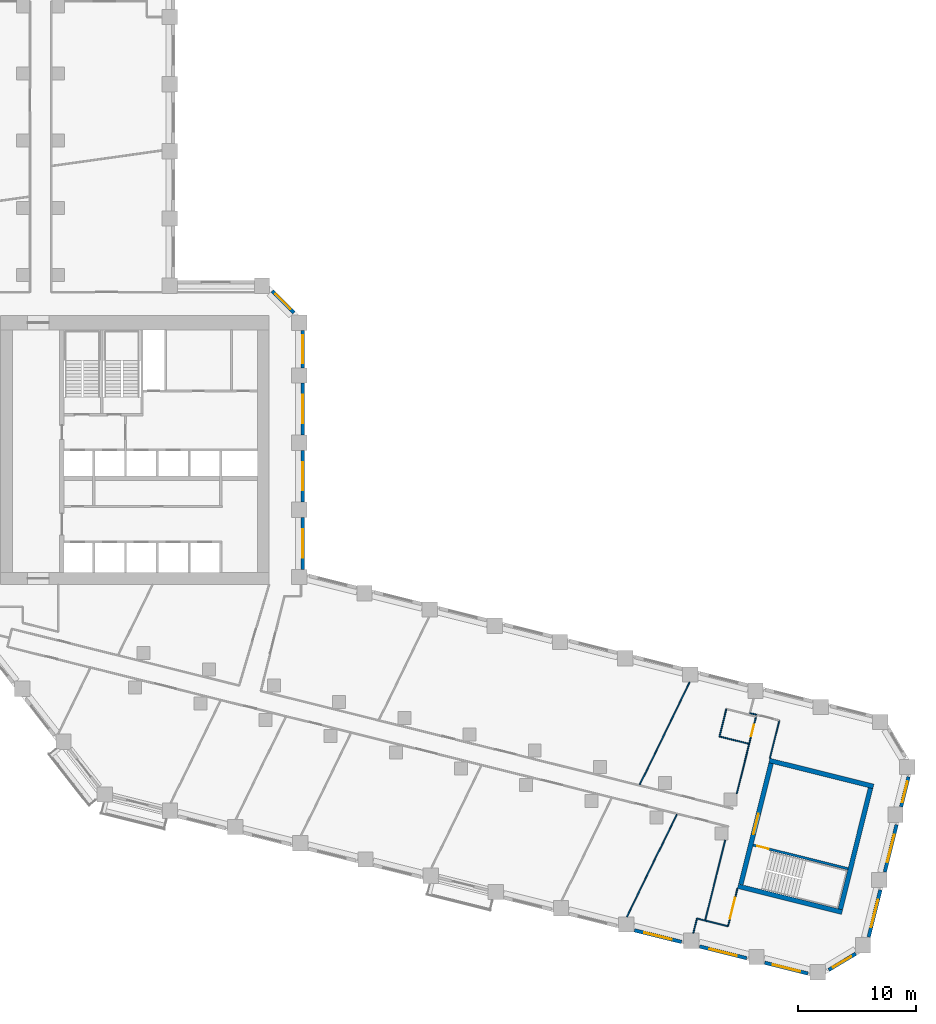
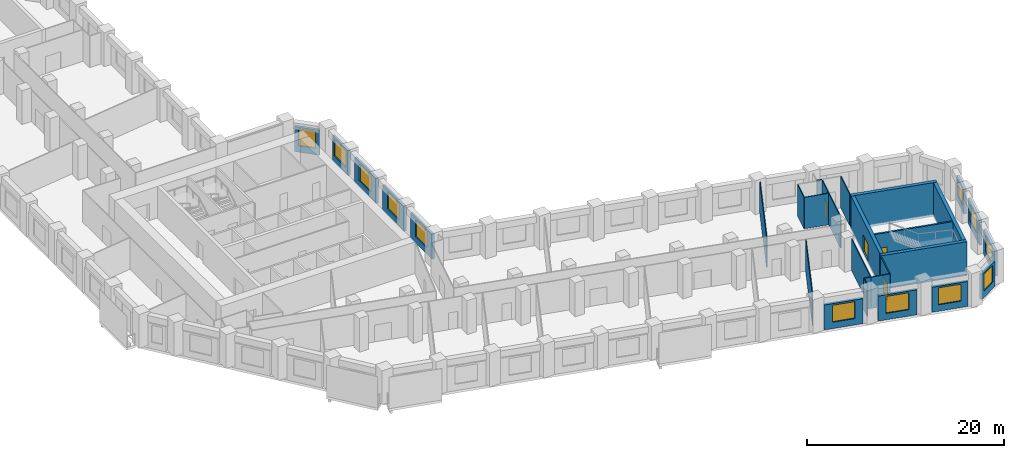
# One storey, part 6 of 11: 29 walls, 12 windows, 4 doors, 16 openings.
"""IFC4 building model written with IfcOpenShell, lengths in metres."""

from ifc_helpers import new_model, si_unit, direction, frame, frame_2d, origin, place, context, subcontext, project, spatial, rectangle, extrude, material, layer, layer_set, type_object, element, fill, save


model = new_model("IFC4")

# Units and contexts
model_context = context("Model", 3, precision=1e-05, world=origin(), true_north=direction((0.0, 1.0)))
body_context = subcontext(model_context, "Body", "Model", "MODEL_VIEW")
ifc_project = project(units=[si_unit("LENGTHUNIT", "METRE"), si_unit("AREAUNIT", "SQUARE_METRE"), si_unit("VOLUMEUNIT", "CUBIC_METRE"), si_unit("PLANEANGLEUNIT", "RADIAN"), si_unit("MASSUNIT", "GRAM", prefix="KILO")], contexts=[model_context])

# Site, building, storey
site_placement = place(None, origin())
site = spatial("IfcSite", under=ifc_project, at=site_placement, CompositionType="ELEMENT")
building_placement = place(site_placement, origin())
building = spatial("IfcBuilding", under=site, at=building_placement, Name="Meshkara Civic Tower", CompositionType="ELEMENT")
storey_placement = place(building_placement, frame((0.0, 0.0, 101.39990234375)))
storey = spatial("IfcBuildingStorey", under=building, at=storey_placement, Name="L22", CompositionType="ELEMENT", Elevation=101.39990234375)

# Walls
ifc_material_1 = material(Name="Corridor wall 100")
ifc_layer_1 = layer(ifc_material_1, 0.10009765625)
ifc_layer_set_1 = layer_set([ifc_layer_1], Name="Corridor wall 100")
wall_type_1 = type_object("IfcWallType", Name="Corridor wall 100", PredefinedType="PARTITIONING", material=ifc_layer_set_1)
wall_1_placement = place(storey_placement, frame((67.79296875, -14.428955078125, 0.0), z_axis=(0.0, 0.0, 1.0), x_axis=(0.9702715884, -0.242018686767, 0.0)))
element("IfcWall", 1, at=wall_1_placement, inside=storey, type_object=wall_type_1, Name="L22-W025", PredefinedType="PARTITIONING", context=body_context, shape_type="SweptSolid", body=[
    extrude(rectangle(XDim=2.00048828125, YDim=0.10009765625, at=frame_2d((1.000244140625, 0.0))), origin(), (0.0, 0.0, 1.0), 3.900146484375),
])
wall_2_placement = place(storey_placement, frame((69.49609375, -7.60009765625, 0.0), z_axis=(0.0, 0.0, 1.0), x_axis=(-0.241988728544, -0.970279060507, 0.0)))
element("IfcWall", 2, at=wall_2_placement, inside=storey, type_object=wall_type_1, Name="L22-W026", PredefinedType="PARTITIONING", context=body_context, shape_type="SweptSolid", body=[
    extrude(rectangle(XDim=7.0380859375, YDim=0.10009765625, at=frame_2d((3.51904296875, 0.0))), origin(), (0.0, 0.0, 1.0), 3.900146484375),
])

# Wall, opening, door
wall_3_placement = place(storey_placement, frame((69.73388671875, -14.9130859375, 0.0), z_axis=(0.0, 0.0, 1.0), x_axis=(0.241839284064, 0.97031631991, 0.0)))
wall_3 = element("IfcWall", 3, at=wall_3_placement, inside=storey, type_object=wall_type_1, Name="L22-W027", PredefinedType="PARTITIONING", context=body_context, shape_type="SweptSolid", body=[
    extrude(rectangle(XDim=3.300048828125, YDim=0.10009765625, at=frame_2d((1.64990234375, 0.0))), origin(), (0.0, 0.0, 1.0), 3.900146484375),
])
opening_1_placement = place(wall_3_placement, frame((0.679931640625, 0.0, 0.0)))
opening_1 = element("IfcOpeningElement", 4, at=opening_1_placement, cuts=wall_3, Name="Opening L22-D001", PredefinedType="OPENING", context=body_context, shape_type="SweptSolid", body=[
    extrude(rectangle(XDim=1.800048828125, YDim=2.10009765625, at=frame_2d((0.89990234375, 1.050048828125))), frame((0.0, 0.06005859375, 0.0), z_axis=(0.0, -1.0, 0.0), x_axis=(1.0, 0.0, 0.0)), (0.0, 0.0, 1.0), 0.1201171875),
])
ifc_material_2 = material(Name="Door pair 1800 x 2100")
door_type_1 = type_object("IfcDoorType", Name="Door pair 1800 x 2100", OperationType="SINGLE_SWING_LEFT", PredefinedType="DOOR", material=ifc_material_2)
door_1_placement = place(opening_1_placement, origin())
door_1 = element("IfcDoor", 5, at=door_1_placement, inside=storey, type_object=door_type_1, Name="L22-D001", OperationType="DOUBLE_DOOR_SINGLE_SWING", OverallHeight=2.10009765625, OverallWidth=1.800048828125, PredefinedType="DOOR", context=body_context, shape_type="SweptSolid", body=[
    extrude(rectangle(XDim=1.800048828125, YDim=2.10009765625, at=frame_2d((0.89990234375, 1.050048828125))), frame((0.0, 0.02490234375, 0.0), z_axis=(0.0, -1.0, 0.0), x_axis=(1.0, 0.0, 0.0)), (0.0, 0.0, 1.0), 0.050048828125),
])
fill(opening_1, door_1)

wall_4_placement = place(storey_placement, frame((70.47607421875, -3.6689453125, 0.0), z_axis=(0.0, 0.0, 1.0), x_axis=(0.242017211246, 0.970271956443, 0.0)))
wall_4 = element("IfcWall", 6, at=wall_4_placement, inside=storey, type_object=wall_type_1, Name="L22-W028", PredefinedType="PARTITIONING", context=body_context, shape_type="SweptSolid", body=[
    extrude(rectangle(XDim=6.759765625, YDim=0.10009765625, at=frame_2d((3.3798828125, 0.0))), origin(), (0.0, 0.0, 1.0), 3.900146484375),
])
opening_2_placement = place(wall_4_placement, frame((5.0400390625, 0.0, 0.0)))
opening_2 = element("IfcOpeningElement", 7, at=opening_2_placement, cuts=wall_4, Name="Opening L22-D012", PredefinedType="OPENING", context=body_context, shape_type="SweptSolid", body=[
    extrude(rectangle(XDim=1.0, YDim=2.10009765625, at=frame_2d((0.5, 1.050048828125))), frame((0.0, 0.06005859375, 0.0), z_axis=(0.0, -1.0, 0.0), x_axis=(1.0, 0.0, 0.0)), (0.0, 0.0, 1.0), 0.1201171875),
])
ifc_material_3 = material(Name="Door 1000 x 2100")
door_type_2 = type_object("IfcDoorType", Name="Door 1000 x 2100", OperationType="SINGLE_SWING_LEFT", PredefinedType="DOOR", material=ifc_material_3)
door_2_placement = place(opening_2_placement, origin())
door_2 = element("IfcDoor", 8, at=door_2_placement, inside=storey, type_object=door_type_2, Name="L22-D012", OperationType="SINGLE_SWING_LEFT", OverallHeight=2.10009765625, OverallWidth=1.0, PredefinedType="DOOR", context=body_context, shape_type="SweptSolid", body=[
    extrude(rectangle(XDim=1.0, YDim=2.10009765625, at=frame_2d((0.5, 1.050048828125))), frame((0.0, 0.02490234375, 0.0), z_axis=(0.0, -1.0, 0.0), x_axis=(1.0, 0.0, 0.0)), (0.0, 0.0, 1.0), 0.050048828125),
])
fill(opening_2, door_2)

# Wall
wall_5_placement = place(storey_placement, frame((73.2900390625, -0.64990234375, 0.0), z_axis=(0.0, 0.0, 1.0), x_axis=(0.241786986316, 0.970329352977, 0.0)))
element("IfcWall", 9, at=wall_5_placement, inside=storey, type_object=wall_type_1, Name="L22-W029", PredefinedType="PARTITIONING", context=body_context, shape_type="SweptSolid", body=[
    extrude(rectangle(XDim=3.2998046875, YDim=0.10009765625, at=frame_2d((1.64990234375, 0.0))), origin(), (0.0, 0.0, 1.0), 3.900146484375),
])

# Wall, opening, window
ifc_material_4 = material(Name="Insulated infill panel with bronze anodised aluminium cladding", Category="aluminium")
ifc_layer_2 = layer(ifc_material_4, 0.300048828125)
ifc_layer_set_2 = layer_set([ifc_layer_2], Name="EXTERNAL INFILL WALL 300")
wall_type_2 = type_object("IfcWallType", Name="EXTERNAL INFILL WALL 300", PredefinedType="SOLIDWALL", material=ifc_layer_set_2)
wall_6_placement = place(storey_placement, frame((33.64990234375, 15.368896484375, 0.0), z_axis=(0.0, 0.0, 1.0), x_axis=(0.0, 1.0, 0.0)))
wall_6 = element("IfcWall", 10, at=wall_6_placement, inside=storey, type_object=wall_type_2, Name="External wall", PredefinedType="SOLIDWALL", context=body_context, shape_type="SweptSolid", body=[
    extrude(rectangle(XDim=4.400146484375, YDim=0.300048828125, at=frame_2d((2.2001953125, 0.0))), origin(), (0.0, 0.0, 1.0), 3.10009765625),
])
opening_3_placement = place(wall_6_placement, frame((1.0, 0.0, 0.800048828125)))
opening_3 = element("IfcOpeningElement", 11, at=opening_3_placement, cuts=wall_6, Name="Opening W7", PredefinedType="OPENING", context=body_context, shape_type="SweptSolid", body=[
    extrude(rectangle(XDim=2.39990234375, YDim=2.10009765625, at=frame_2d((1.199951171875, 1.050048828125))), frame((0.0, 0.159912109375, 0.0), z_axis=(0.0, -1.0, 0.0), x_axis=(1.0, 0.0, 0.0)), (0.0, 0.0, 1.0), 0.320068359375),
])
ifc_material_5 = material(Name="Tinted double glazing", Category="glass")
window_type_1 = type_object("IfcWindowType", Name="WINDOW 2400x2100", PartitioningType="DOUBLE_PANEL_VERTICAL", PredefinedType="WINDOW", material=ifc_material_5)
window_1_placement = place(opening_3_placement, origin())
window_1 = element("IfcWindow", 12, at=window_1_placement, inside=storey, type_object=window_type_1, Name="Window", OverallHeight=2.10009765625, OverallWidth=2.39990234375, PartitioningType="DOUBLE_PANEL_VERTICAL", PredefinedType="WINDOW", context=body_context, shape_type="SweptSolid", body=[
    extrude(rectangle(XDim=2.39990234375, YDim=2.10009765625, at=frame_2d((1.199951171875, 1.050048828125))), frame((0.0, 0.030029296875, 0.0), z_axis=(0.0, -1.0, 0.0), x_axis=(1.0, 0.0, 0.0)), (0.0, 0.0, 1.0), 0.06005859375),
])
fill(opening_3, window_1)

wall_7_placement = place(storey_placement, frame((33.64990234375, 21.069091796875, 0.0), z_axis=(0.0, 0.0, 1.0), x_axis=(0.0, 1.0, 0.0)))
wall_7 = element("IfcWall", 13, at=wall_7_placement, inside=storey, type_object=wall_type_2, Name="External wall", PredefinedType="SOLIDWALL", context=body_context, shape_type="SweptSolid", body=[
    extrude(rectangle(XDim=4.39990234375, YDim=0.300048828125, at=frame_2d((2.199951171875, 0.0))), origin(), (0.0, 0.0, 1.0), 3.10009765625),
])
opening_4_placement = place(wall_7_placement, frame((1.0, 0.0, 0.800048828125)))
opening_4 = element("IfcOpeningElement", 14, at=opening_4_placement, cuts=wall_7, Name="Opening W7", PredefinedType="OPENING", context=body_context, shape_type="SweptSolid", body=[
    extrude(rectangle(XDim=2.39990234375, YDim=2.10009765625, at=frame_2d((1.199951171875, 1.050048828125))), frame((0.0, 0.159912109375, 0.0), z_axis=(0.0, -1.0, 0.0), x_axis=(1.0, 0.0, 0.0)), (0.0, 0.0, 1.0), 0.320068359375),
])
window_2_placement = place(opening_4_placement, origin())
window_2 = element("IfcWindow", 15, at=window_2_placement, inside=storey, type_object=window_type_1, Name="Window", OverallHeight=2.10009765625, OverallWidth=2.39990234375, PartitioningType="DOUBLE_PANEL_VERTICAL", PredefinedType="WINDOW", context=body_context, shape_type="SweptSolid", body=[
    extrude(rectangle(XDim=2.39990234375, YDim=2.10009765625, at=frame_2d((1.199951171875, 1.050048828125))), frame((0.0, 0.030029296875, 0.0), z_axis=(0.0, -1.0, 0.0), x_axis=(1.0, 0.0, 0.0)), (0.0, 0.0, 1.0), 0.06005859375),
])
fill(opening_4, window_2)

wall_8_placement = place(storey_placement, frame((33.64990234375, 26.76904296875, 0.0), z_axis=(0.0, 0.0, 1.0), x_axis=(0.0, 1.0, 0.0)))
wall_8 = element("IfcWall", 16, at=wall_8_placement, inside=storey, type_object=wall_type_2, Name="External wall", PredefinedType="SOLIDWALL", context=body_context, shape_type="SweptSolid", body=[
    extrude(rectangle(XDim=4.39990234375, YDim=0.300048828125, at=frame_2d((2.199951171875, 0.0))), origin(), (0.0, 0.0, 1.0), 3.10009765625),
])
opening_5_placement = place(wall_8_placement, frame((1.0, 0.0, 0.800048828125)))
opening_5 = element("IfcOpeningElement", 17, at=opening_5_placement, cuts=wall_8, Name="Opening W7", PredefinedType="OPENING", context=body_context, shape_type="SweptSolid", body=[
    extrude(rectangle(XDim=2.39990234375, YDim=2.10009765625, at=frame_2d((1.199951171875, 1.050048828125))), frame((0.0, 0.159912109375, 0.0), z_axis=(0.0, -1.0, 0.0), x_axis=(1.0, 0.0, 0.0)), (0.0, 0.0, 1.0), 0.320068359375),
])
window_3_placement = place(opening_5_placement, origin())
window_3 = element("IfcWindow", 18, at=window_3_placement, inside=storey, type_object=window_type_1, Name="Window", OverallHeight=2.10009765625, OverallWidth=2.39990234375, PartitioningType="DOUBLE_PANEL_VERTICAL", PredefinedType="WINDOW", context=body_context, shape_type="SweptSolid", body=[
    extrude(rectangle(XDim=2.39990234375, YDim=2.10009765625, at=frame_2d((1.199951171875, 1.050048828125))), frame((0.0, 0.030029296875, 0.0), z_axis=(0.0, -1.0, 0.0), x_axis=(1.0, 0.0, 0.0)), (0.0, 0.0, 1.0), 0.06005859375),
])
fill(opening_5, window_3)

wall_9_placement = place(storey_placement, frame((33.64990234375, 32.468994140625, 0.0), z_axis=(0.0, 0.0, 1.0), x_axis=(0.0, 1.0, 0.0)))
wall_9 = element("IfcWall", 19, at=wall_9_placement, inside=storey, type_object=wall_type_2, Name="External wall", PredefinedType="SOLIDWALL", context=body_context, shape_type="SweptSolid", body=[
    extrude(rectangle(XDim=3.175048828125, YDim=0.300048828125, at=frame_2d((1.58740234375, 0.0))), origin(), (0.0, 0.0, 1.0), 3.10009765625),
])
opening_6_placement = place(wall_9_placement, frame((0.387939453125, 0.0, 0.800048828125)))
opening_6 = element("IfcOpeningElement", 20, at=opening_6_placement, cuts=wall_9, Name="Opening W7", PredefinedType="OPENING", context=body_context, shape_type="SweptSolid", body=[
    extrude(rectangle(XDim=2.39990234375, YDim=2.10009765625, at=frame_2d((1.199951171875, 1.050048828125))), frame((0.0, 0.159912109375, 0.0), z_axis=(0.0, -1.0, 0.0), x_axis=(1.0, 0.0, 0.0)), (0.0, 0.0, 1.0), 0.320068359375),
])
window_4_placement = place(opening_6_placement, origin())
window_4 = element("IfcWindow", 21, at=window_4_placement, inside=storey, type_object=window_type_1, Name="Window", OverallHeight=2.10009765625, OverallWidth=2.39990234375, PartitioningType="DOUBLE_PANEL_VERTICAL", PredefinedType="WINDOW", context=body_context, shape_type="SweptSolid", body=[
    extrude(rectangle(XDim=2.39990234375, YDim=2.10009765625, at=frame_2d((1.199951171875, 1.050048828125))), frame((0.0, 0.030029296875, 0.0), z_axis=(0.0, -1.0, 0.0), x_axis=(1.0, 0.0, 0.0)), (0.0, 0.0, 1.0), 0.06005859375),
])
fill(opening_6, window_4)

wall_10_placement = place(storey_placement, frame((32.912109375, 37.156005859375, 0.0), z_axis=(0.0, 0.0, 1.0), x_axis=(-0.707153284542, 0.707060274772, 0.0)))
wall_10 = element("IfcWall", 22, at=wall_10_placement, inside=storey, type_object=wall_type_2, Name="External wall", PredefinedType="SOLIDWALL", context=body_context, shape_type="SweptSolid", body=[
    extrude(rectangle(XDim=2.625, YDim=0.300048828125, at=frame_2d((1.3125, 0.0))), origin(), (0.0, 0.0, 1.0), 3.10009765625),
])
opening_7_placement = place(wall_10_placement, frame((0.412109375, 0.0, 0.800048828125)))
opening_7 = element("IfcOpeningElement", 23, at=opening_7_placement, cuts=wall_10, Name="Opening W9", PredefinedType="OPENING", context=body_context, shape_type="SweptSolid", body=[
    extrude(rectangle(XDim=1.800048828125, YDim=2.10009765625, at=frame_2d((0.89990234375, 1.050048828125))), frame((0.0, 0.159912109375, 0.0), z_axis=(0.0, -1.0, 0.0), x_axis=(1.0, 0.0, 0.0)), (0.0, 0.0, 1.0), 0.320068359375),
])
ifc_material_6 = material(Name="Tinted double glazing", Category="glass")
window_type_2 = type_object("IfcWindowType", Name="WINDOW 1800x2100", PartitioningType="DOUBLE_PANEL_VERTICAL", PredefinedType="WINDOW", material=ifc_material_6)
window_5_placement = place(opening_7_placement, origin())
window_5 = element("IfcWindow", 24, at=window_5_placement, inside=storey, type_object=window_type_2, Name="Window", OverallHeight=2.10009765625, OverallWidth=1.800048828125, PartitioningType="DOUBLE_PANEL_VERTICAL", PredefinedType="WINDOW", context=body_context, shape_type="SweptSolid", body=[
    extrude(rectangle(XDim=1.800048828125, YDim=2.10009765625, at=frame_2d((0.89990234375, 1.050048828125))), frame((0.0, 0.030029296875, 0.0), z_axis=(0.0, -1.0, 0.0), x_axis=(1.0, 0.0, 0.0)), (0.0, 0.0, 1.0), 0.06005859375),
])
fill(opening_7, window_5)

wall_11_placement = place(storey_placement, frame((61.7890625, -15.2509765625, 0.0), z_axis=(0.0, 0.0, 1.0), x_axis=(0.970323340708, -0.24181111322, 0.0)))
wall_11 = element("IfcWall", 25, at=wall_11_placement, inside=storey, type_object=wall_type_2, Name="External wall", PredefinedType="SOLIDWALL", context=body_context, shape_type="SweptSolid", body=[
    extrude(rectangle(XDim=4.123291015625, YDim=0.300048828125, at=frame_2d((2.0615234375, 0.0))), origin(), (0.0, 0.0, 1.0), 3.10009765625),
])
opening_8_placement = place(wall_11_placement, frame((0.862060546875, 0.0, 0.800048828125)))
opening_8 = element("IfcOpeningElement", 26, at=opening_8_placement, cuts=wall_11, Name="Opening W7", PredefinedType="OPENING", context=body_context, shape_type="SweptSolid", body=[
    extrude(rectangle(XDim=2.39990234375, YDim=2.10009765625, at=frame_2d((1.199951171875, 1.050048828125))), frame((0.0, 0.159912109375, 0.0), z_axis=(0.0, -1.0, 0.0), x_axis=(1.0, 0.0, 0.0)), (0.0, 0.0, 1.0), 0.320068359375),
])
window_6_placement = place(opening_8_placement, origin())
window_6 = element("IfcWindow", 27, at=window_6_placement, inside=storey, type_object=window_type_1, Name="Window", OverallHeight=2.10009765625, OverallWidth=2.39990234375, PartitioningType="DOUBLE_PANEL_VERTICAL", PredefinedType="WINDOW", context=body_context, shape_type="SweptSolid", body=[
    extrude(rectangle(XDim=2.39990234375, YDim=2.10009765625, at=frame_2d((1.199951171875, 1.050048828125))), frame((0.0, 0.030029296875, 0.0), z_axis=(0.0, -1.0, 0.0), x_axis=(1.0, 0.0, 0.0)), (0.0, 0.0, 1.0), 0.06005859375),
])
fill(opening_8, window_6)

wall_12_placement = place(storey_placement, frame((67.319091796875, -16.6298828125, 0.0), z_axis=(0.0, 0.0, 1.0), x_axis=(0.970337184445, -0.241755555227, 0.0)))
wall_12 = element("IfcWall", 28, at=wall_12_placement, inside=storey, type_object=wall_type_2, Name="External wall", PredefinedType="SOLIDWALL", context=body_context, shape_type="SweptSolid", body=[
    extrude(rectangle(XDim=4.124267578125, YDim=0.300048828125, at=frame_2d((2.06201171875, 0.0))), origin(), (0.0, 0.0, 1.0), 3.10009765625),
])
opening_9_placement = place(wall_12_placement, frame((0.862060546875, 0.0, 0.800048828125)))
opening_9 = element("IfcOpeningElement", 29, at=opening_9_placement, cuts=wall_12, Name="Opening W7", PredefinedType="OPENING", context=body_context, shape_type="SweptSolid", body=[
    extrude(rectangle(XDim=2.39990234375, YDim=2.10009765625, at=frame_2d((1.199951171875, 1.050048828125))), frame((0.0, 0.159912109375, 0.0), z_axis=(0.0, -1.0, 0.0), x_axis=(1.0, 0.0, 0.0)), (0.0, 0.0, 1.0), 0.320068359375),
])
window_7_placement = place(opening_9_placement, origin())
window_7 = element("IfcWindow", 30, at=window_7_placement, inside=storey, type_object=window_type_1, Name="Window", OverallHeight=2.10009765625, OverallWidth=2.39990234375, PartitioningType="DOUBLE_PANEL_VERTICAL", PredefinedType="WINDOW", context=body_context, shape_type="SweptSolid", body=[
    extrude(rectangle(XDim=2.39990234375, YDim=2.10009765625, at=frame_2d((1.199951171875, 1.050048828125))), frame((0.0, 0.030029296875, 0.0), z_axis=(0.0, -1.0, 0.0), x_axis=(1.0, 0.0, 0.0)), (0.0, 0.0, 1.0), 0.06005859375),
])
fill(opening_9, window_7)

wall_13_placement = place(storey_placement, frame((72.85009765625, -18.009033203125, 0.0), z_axis=(0.0, 0.0, 1.0), x_axis=(0.970309295155, -0.241867467295, 0.0)))
wall_13 = element("IfcWall", 31, at=wall_13_placement, inside=storey, type_object=wall_type_2, Name="External wall", PredefinedType="SOLIDWALL", context=body_context, shape_type="SweptSolid", body=[
    extrude(rectangle(XDim=3.783203125, YDim=0.300048828125, at=frame_2d((1.8916015625, 0.0))), origin(), (0.0, 0.0, 1.0), 3.10009765625),
])
opening_10_placement = place(wall_13_placement, frame((0.69189453125, 0.0, 0.800048828125)))
opening_10 = element("IfcOpeningElement", 32, at=opening_10_placement, cuts=wall_13, Name="Opening W7", PredefinedType="OPENING", context=body_context, shape_type="SweptSolid", body=[
    extrude(rectangle(XDim=2.39990234375, YDim=2.10009765625, at=frame_2d((1.199951171875, 1.050048828125))), frame((0.0, 0.159912109375, 0.0), z_axis=(0.0, -1.0, 0.0), x_axis=(1.0, 0.0, 0.0)), (0.0, 0.0, 1.0), 0.320068359375),
])
window_8_placement = place(opening_10_placement, origin())
window_8 = element("IfcWindow", 33, at=window_8_placement, inside=storey, type_object=window_type_1, Name="Window", OverallHeight=2.10009765625, OverallWidth=2.39990234375, PartitioningType="DOUBLE_PANEL_VERTICAL", PredefinedType="WINDOW", context=body_context, shape_type="SweptSolid", body=[
    extrude(rectangle(XDim=2.39990234375, YDim=2.10009765625, at=frame_2d((1.199951171875, 1.050048828125))), frame((0.0, 0.030029296875, 0.0), z_axis=(0.0, -1.0, 0.0), x_axis=(1.0, 0.0, 0.0)), (0.0, 0.0, 1.0), 0.06005859375),
])
fill(opening_10, window_8)

wall_14_placement = place(storey_placement, frame((78.277099609375, -18.62109375, 0.0), z_axis=(0.0, 0.0, 1.0), x_axis=(0.857066424989, 0.515205923061, 0.0)))
wall_14 = element("IfcWall", 34, at=wall_14_placement, inside=storey, type_object=wall_type_2, Name="External wall", PredefinedType="SOLIDWALL", context=body_context, shape_type="SweptSolid", body=[
    extrude(rectangle(XDim=2.6787109375, YDim=0.300048828125, at=frame_2d((1.33935546875, 0.0))), origin(), (0.0, 0.0, 1.0), 3.10009765625),
])
opening_11_placement = place(wall_14_placement, frame((0.43896484375, 0.0, 0.800048828125)))
opening_11 = element("IfcOpeningElement", 35, at=opening_11_placement, cuts=wall_14, Name="Opening W9", PredefinedType="OPENING", context=body_context, shape_type="SweptSolid", body=[
    extrude(rectangle(XDim=1.800048828125, YDim=2.10009765625, at=frame_2d((0.89990234375, 1.050048828125))), frame((0.0, 0.159912109375, 0.0), z_axis=(0.0, -1.0, 0.0), x_axis=(1.0, 0.0, 0.0)), (0.0, 0.0, 1.0), 0.320068359375),
])
window_9_placement = place(opening_11_placement, origin())
window_9 = element("IfcWindow", 36, at=window_9_placement, inside=storey, type_object=window_type_2, Name="Window", OverallHeight=2.10009765625, OverallWidth=1.800048828125, PartitioningType="DOUBLE_PANEL_VERTICAL", PredefinedType="WINDOW", context=body_context, shape_type="SweptSolid", body=[
    extrude(rectangle(XDim=1.800048828125, YDim=2.10009765625, at=frame_2d((0.89990234375, 1.050048828125))), frame((0.0, 0.030029296875, 0.0), z_axis=(0.0, -1.0, 0.0), x_axis=(1.0, 0.0, 0.0)), (0.0, 0.0, 1.0), 0.06005859375),
])
fill(opening_11, window_9)

wall_15_placement = place(storey_placement, frame((81.6650390625, -15.83203125, 0.0), z_axis=(0.0, 0.0, 1.0), x_axis=(0.241978480223, 0.970281616392, 0.0)))
wall_15 = element("IfcWall", 37, at=wall_15_placement, inside=storey, type_object=wall_type_2, Name="External wall", PredefinedType="SOLIDWALL", context=body_context, shape_type="SweptSolid", body=[
    extrude(rectangle(XDim=4.12451171875, YDim=0.300048828125, at=frame_2d((2.062255859375, 0.0))), origin(), (0.0, 0.0, 1.0), 3.10009765625),
])
opening_12_placement = place(wall_15_placement, frame((0.862060546875, 0.0, 0.800048828125)))
opening_12 = element("IfcOpeningElement", 38, at=opening_12_placement, cuts=wall_15, Name="Opening W7", PredefinedType="OPENING", context=body_context, shape_type="SweptSolid", body=[
    extrude(rectangle(XDim=2.39990234375, YDim=2.10009765625, at=frame_2d((1.199951171875, 1.050048828125))), frame((0.0, 0.159912109375, 0.0), z_axis=(0.0, -1.0, 0.0), x_axis=(1.0, 0.0, 0.0)), (0.0, 0.0, 1.0), 0.320068359375),
])
window_10_placement = place(opening_12_placement, origin())
window_10 = element("IfcWindow", 39, at=window_10_placement, inside=storey, type_object=window_type_1, Name="Window", OverallHeight=2.10009765625, OverallWidth=2.39990234375, PartitioningType="DOUBLE_PANEL_VERTICAL", PredefinedType="WINDOW", context=body_context, shape_type="SweptSolid", body=[
    extrude(rectangle(XDim=2.39990234375, YDim=2.10009765625, at=frame_2d((1.199951171875, 1.050048828125))), frame((0.0, 0.030029296875, 0.0), z_axis=(0.0, -1.0, 0.0), x_axis=(1.0, 0.0, 0.0)), (0.0, 0.0, 1.0), 0.06005859375),
])
fill(opening_12, window_10)

wall_16_placement = place(storey_placement, frame((83.0439453125, -10.301025390625, 0.0), z_axis=(0.0, 0.0, 1.0), x_axis=(0.242034083076, 0.970267747908, 0.0)))
wall_16 = element("IfcWall", 40, at=wall_16_placement, inside=storey, type_object=wall_type_2, Name="External wall", PredefinedType="SOLIDWALL", context=body_context, shape_type="SweptSolid", body=[
    extrude(rectangle(XDim=4.12353515625, YDim=0.300048828125, at=frame_2d((2.061767578125, 0.0))), origin(), (0.0, 0.0, 1.0), 3.10009765625),
])
opening_13_placement = place(wall_16_placement, frame((0.862060546875, 0.0, 0.800048828125)))
opening_13 = element("IfcOpeningElement", 41, at=opening_13_placement, cuts=wall_16, Name="Opening W7", PredefinedType="OPENING", context=body_context, shape_type="SweptSolid", body=[
    extrude(rectangle(XDim=2.39990234375, YDim=2.10009765625, at=frame_2d((1.199951171875, 1.050048828125))), frame((0.0, 0.159912109375, 0.0), z_axis=(0.0, -1.0, 0.0), x_axis=(1.0, 0.0, 0.0)), (0.0, 0.0, 1.0), 0.320068359375),
])
window_11_placement = place(opening_13_placement, origin())
window_11 = element("IfcWindow", 42, at=window_11_placement, inside=storey, type_object=window_type_1, Name="Window", OverallHeight=2.10009765625, OverallWidth=2.39990234375, PartitioningType="DOUBLE_PANEL_VERTICAL", PredefinedType="WINDOW", context=body_context, shape_type="SweptSolid", body=[
    extrude(rectangle(XDim=2.39990234375, YDim=2.10009765625, at=frame_2d((1.199951171875, 1.050048828125))), frame((0.0, 0.030029296875, 0.0), z_axis=(0.0, -1.0, 0.0), x_axis=(1.0, 0.0, 0.0)), (0.0, 0.0, 1.0), 0.06005859375),
])
fill(opening_13, window_11)

wall_17_placement = place(storey_placement, frame((84.423095703125, -4.77099609375, 0.0), z_axis=(0.0, 0.0, 1.0), x_axis=(0.241941668773, 0.970290796056, 0.0)))
wall_17 = element("IfcWall", 43, at=wall_17_placement, inside=storey, type_object=wall_type_2, Name="External wall", PredefinedType="SOLIDWALL", context=body_context, shape_type="SweptSolid", body=[
    extrude(rectangle(XDim=2.611572265625, YDim=0.300048828125, at=frame_2d((1.3056640625, 0.0))), origin(), (0.0, 0.0, 1.0), 3.10009765625),
])
opening_14_placement = place(wall_17_placement, frame((0.406005859375, 0.0, 0.800048828125)))
opening_14 = element("IfcOpeningElement", 44, at=opening_14_placement, cuts=wall_17, Name="Opening W9", PredefinedType="OPENING", context=body_context, shape_type="SweptSolid", body=[
    extrude(rectangle(XDim=1.800048828125, YDim=2.10009765625, at=frame_2d((0.89990234375, 1.050048828125))), frame((0.0, 0.159912109375, 0.0), z_axis=(0.0, -1.0, 0.0), x_axis=(1.0, 0.0, 0.0)), (0.0, 0.0, 1.0), 0.320068359375),
])
window_12_placement = place(opening_14_placement, origin())
window_12 = element("IfcWindow", 45, at=window_12_placement, inside=storey, type_object=window_type_2, Name="Window", OverallHeight=2.10009765625, OverallWidth=1.800048828125, PartitioningType="DOUBLE_PANEL_VERTICAL", PredefinedType="WINDOW", context=body_context, shape_type="SweptSolid", body=[
    extrude(rectangle(XDim=1.800048828125, YDim=2.10009765625, at=frame_2d((0.89990234375, 1.050048828125))), frame((0.0, 0.030029296875, 0.0), z_axis=(0.0, -1.0, 0.0), x_axis=(1.0, 0.0, 0.0)), (0.0, 0.0, 1.0), 0.06005859375),
])
fill(opening_14, window_12)

# Walls
ifc_material_7 = material(Name="Concrete C70", Category="concrete")
ifc_layer_3 = layer(ifc_material_7, 0.39990234375)
ifc_layer_set_3 = layer_set([ifc_layer_3], Name="End core ring wall 400 C70")
wall_type_3 = type_object("IfcWallType", Name="End core ring wall 400 C70", PredefinedType="SHEAR", material=ifc_layer_set_3)
for number, where, z_axis, x_axis, name in (
    (46, (70.580078125, -11.51708984375, -0.2998046875), (0.0, 0.0, 1.0), (0.970285938441, -0.241961149081, 0.0), "L22-C031"),
    (47, (73.240966796875, -0.843994140625, -0.2998046875), (0.0, 0.0, 1.0), (0.970312696888, -0.241853820019, 0.0), "L22-C032"),
):
    element("IfcWall", number, at=place(storey_placement, frame(where, z_axis=z_axis, x_axis=x_axis)), inside=storey, type_object=wall_type_3, Name=name, PredefinedType="SHEAR", context=body_context, shape_type="SweptSolid", body=[
        extrude(rectangle(XDim=9.100341796875, YDim=0.39990234375, at=frame_2d((4.55029296875, 0.0))), origin(), (0.0, 0.0, 1.0), 4.199951171875),
    ])

# Wall, opening, door
wall_18_placement = place(storey_placement, frame((70.822998046875, -11.37109375, -0.2998046875), z_axis=(0.0, 0.0, 1.0), x_axis=(0.241885246693, 0.97030486314, 0.0)))
wall_18 = element("IfcWall", 48, at=wall_18_placement, inside=storey, type_object=wall_type_3, Name="L22-C033", PredefinedType="SHEAR", context=body_context, shape_type="SweptSolid", body=[
    extrude(rectangle(XDim=10.599853515625, YDim=0.39990234375, at=frame_2d((5.2998046875, 0.0))), origin(), (0.0, 0.0, 1.0), 4.199951171875),
])
opening_15_placement = place(wall_18_placement, frame((4.39990234375, 0.0, 0.300048828125)))
opening_15 = element("IfcOpeningElement", 49, at=opening_15_placement, cuts=wall_18, Name="Opening L22-K202", PredefinedType="OPENING", context=body_context, shape_type="SweptSolid", body=[
    extrude(rectangle(XDim=1.800048828125, YDim=2.10009765625, at=frame_2d((0.89990234375, 1.050048828125))), frame((0.0, 0.2099609375, 0.0), z_axis=(0.0, -1.0, 0.0), x_axis=(1.0, 0.0, 0.0)), (0.0, 0.0, 1.0), 0.419921875),
])
ifc_material_8 = material(Name="Fire-rated door leaf in steel frame", Category="steel")
door_type_3 = type_object("IfcDoorType", Name="Core double door 1800 EI 60", OperationType="DOUBLE_DOOR_SINGLE_SWING", PredefinedType="DOOR", material=ifc_material_8)
door_3_placement = place(opening_15_placement, origin())
door_3 = element("IfcDoor", 50, at=door_3_placement, inside=storey, type_object=door_type_3, Name="L22-K202", OperationType="DOUBLE_DOOR_SINGLE_SWING", OverallHeight=2.10009765625, OverallWidth=1.800048828125, PredefinedType="DOOR", context=body_context, shape_type="SweptSolid", body=[
    extrude(rectangle(XDim=1.800048828125, YDim=2.10009765625, at=frame_2d((0.89990234375, 1.050048828125))), frame((0.0, 0.02490234375, 0.0), z_axis=(0.0, -1.0, 0.0), x_axis=(1.0, 0.0, 0.0)), (0.0, 0.0, 1.0), 0.050048828125),
])
fill(opening_15, door_3)

# Walls
wall_19_placement = place(storey_placement, frame((79.263916015625, -13.47607421875, -0.2998046875), z_axis=(0.0, 0.0, 1.0), x_axis=(0.241993665753, 0.970277829148, 0.0)))
element("IfcWall", 51, at=wall_19_placement, inside=storey, type_object=wall_type_3, Name="L22-C034", PredefinedType="SHEAR", context=body_context, shape_type="SweptSolid", body=[
    extrude(rectangle(XDim=10.60009765625, YDim=0.39990234375, at=frame_2d((5.300048828125, 0.0))), origin(), (0.0, 0.0, 1.0), 4.199951171875),
])
ifc_material_9 = material(Name="Partition 100")
ifc_layer_4 = layer(ifc_material_9, 0.10009765625)
ifc_layer_set_4 = layer_set([ifc_layer_4], Name="Partition 100")
wall_type_4 = type_object("IfcWallType", Name="Partition 100", PredefinedType="PARTITIONING", material=ifc_layer_set_4)
wall_20_placement = place(storey_placement, frame((61.14794921875, -14.118896484375, 0.0), z_axis=(0.0, 0.0, 1.0), x_axis=(0.438349551757, 0.898804578579, 0.0)))
element("IfcWall", 52, at=wall_20_placement, inside=storey, type_object=wall_type_4, Name="L22-W049", PredefinedType="PARTITIONING", context=body_context, shape_type="SweptSolid", body=[
    extrude(rectangle(XDim=9.6748046875, YDim=0.10009765625, at=frame_2d((4.83740234375, 0.0))), origin(), (0.0, 0.0, 1.0), 3.900146484375),
])
wall_21_placement = place(storey_placement, frame((62.241943359375, -2.89990234375, 0.0), z_axis=(0.0, 0.0, 1.0), x_axis=(0.438389323653, 0.898785180623, 0.0)))
element("IfcWall", 53, at=wall_21_placement, inside=storey, type_object=wall_type_4, Name="L22-W050", PredefinedType="PARTITIONING", context=body_context, shape_type="SweptSolid", body=[
    extrude(rectangle(XDim=9.674072265625, YDim=0.10009765625, at=frame_2d((4.8369140625, 0.0))), origin(), (0.0, 0.0, 1.0), 3.900146484375),
])
wall_22_placement = place(storey_placement, frame((66.7890625, -15.498046875, 0.0), z_axis=(0.0, 0.0, 1.0), x_axis=(0.242221476086, 0.970220983345, 0.0)))
element("IfcWall", 54, at=wall_22_placement, inside=storey, type_object=wall_type_4, Name="L22-W051", PredefinedType="PARTITIONING", context=body_context, shape_type="SweptSolid", body=[
    extrude(rectangle(XDim=1.280029296875, YDim=0.10009765625, at=frame_2d((0.64013671875, 0.0))), origin(), (0.0, 0.0, 1.0), 3.900146484375),
])
wall_23_placement = place(storey_placement, frame((67.09912109375, -14.256103515625, 0.0), z_axis=(0.0, 0.0, 1.0), x_axis=(0.970361718061, -0.24165706305, 0.0)))
element("IfcWall", 55, at=wall_23_placement, inside=storey, type_object=wall_type_4, Name="L22-W052", PredefinedType="PARTITIONING", context=body_context, shape_type="SweptSolid", body=[
    extrude(rectangle(XDim=0.71923828125, YDim=0.10009765625, at=frame_2d((0.359619140625, 0.0))), origin(), (0.0, 0.0, 1.0), 3.900146484375),
])
wall_24_placement = place(storey_placement, frame((69.008056640625, 1.19091796875, 0.0), z_axis=(0.0, 0.0, 1.0), x_axis=(0.242056985565, 0.970262034576, 0.0)))
element("IfcWall", 56, at=wall_24_placement, inside=storey, type_object=wall_type_4, Name="L22-W053", PredefinedType="PARTITIONING", context=body_context, shape_type="SweptSolid", body=[
    extrude(rectangle(XDim=2.400390625, YDim=0.10009765625, at=frame_2d((1.2001953125, 0.0))), origin(), (0.0, 0.0, 1.0), 3.900146484375),
])
wall_25_placement = place(storey_placement, frame((71.48193359375, 0.573974609375, 0.0), z_axis=(0.0, 0.0, 1.0), x_axis=(-0.970283152478, 0.241972320765, 0.0)))
element("IfcWall", 57, at=wall_25_placement, inside=storey, type_object=wall_type_4, Name="L22-W055", PredefinedType="PARTITIONING", context=body_context, shape_type="SweptSolid", body=[
    extrude(rectangle(XDim=2.549560546875, YDim=0.10009765625, at=frame_2d((1.27490234375, 0.0))), origin(), (0.0, 0.0, 1.0), 3.900146484375),
])
wall_26_placement = place(storey_placement, frame((72.152099609375, 3.034912109375, 0.0), z_axis=(0.0, 0.0, 1.0), x_axis=(-0.97039125345, 0.241538434265, 0.0)))
element("IfcWall", 58, at=wall_26_placement, inside=storey, type_object=wall_type_4, Name="L22-W057", PredefinedType="PARTITIONING", context=body_context, shape_type="SweptSolid", body=[
    extrude(rectangle(XDim=0.576171875, YDim=0.10009765625, at=frame_2d((0.2880859375, 0.0))), origin(), (0.0, 0.0, 1.0), 3.900146484375),
])

# Wall, opening, door
ifc_material_10 = material(Name="Concrete C40/50", Category="concrete")
ifc_layer_5 = layer(ifc_material_10, 0.199951171875)
ifc_layer_set_5 = layer_set([ifc_layer_5], Name="Stair enclosure wall 200 C40/50")
wall_type_5 = type_object("IfcWallType", Name="Stair enclosure wall 200 C40/50", PredefinedType="SOLIDWALL", material=ifc_layer_set_5)
wall_27_placement = place(storey_placement, frame((71.864013671875, -8.02392578125, 0.0), z_axis=(0.0, 0.0, 1.0), x_axis=(0.970289402158, -0.241947258837, 0.0)))
wall_27 = element("IfcWall", 59, at=wall_27_placement, inside=storey, type_object=wall_type_5, Name="L22-C035", PredefinedType="SOLIDWALL", context=body_context, shape_type="SweptSolid", body=[
    extrude(rectangle(XDim=8.299560546875, YDim=0.199951171875, at=frame_2d((4.14990234375, 0.0))), origin(), (0.0, 0.0, 1.0), 3.900146484375),
])
opening_16_placement = place(wall_27_placement, frame((0.35009765625, 0.0, 0.0)))
opening_16 = element("IfcOpeningElement", 60, at=opening_16_placement, cuts=wall_27, Name="Opening L22-K201", PredefinedType="OPENING", context=body_context, shape_type="SweptSolid", body=[
    extrude(rectangle(XDim=1.0, YDim=2.10009765625, at=frame_2d((0.5, 1.050048828125))), frame((0.0, 0.10986328125, 0.0), z_axis=(0.0, -1.0, 0.0), x_axis=(1.0, 0.0, 0.0)), (0.0, 0.0, 1.0), 0.219970703125),
])
ifc_material_11 = material(Name="Fire-rated door leaf in steel frame", Category="steel")
door_type_4 = type_object("IfcDoorType", Name="Stair door 1000 EI 120", OperationType="SINGLE_SWING_LEFT", PredefinedType="DOOR", material=ifc_material_11)
door_4_placement = place(opening_16_placement, origin())
door_4 = element("IfcDoor", 61, at=door_4_placement, inside=storey, type_object=door_type_4, Name="L22-K201", OperationType="SINGLE_SWING_LEFT", OverallHeight=2.10009765625, OverallWidth=1.0, PredefinedType="DOOR", context=body_context, shape_type="SweptSolid", body=[
    extrude(rectangle(XDim=1.0, YDim=2.10009765625, at=frame_2d((0.5, 1.050048828125))), frame((0.0, 0.02490234375, 0.0), z_axis=(0.0, -1.0, 0.0), x_axis=(1.0, 0.0, 0.0)), (0.0, 0.0, 1.0), 0.050048828125),
])
fill(opening_16, door_4)

save(model, "model.ifc")
